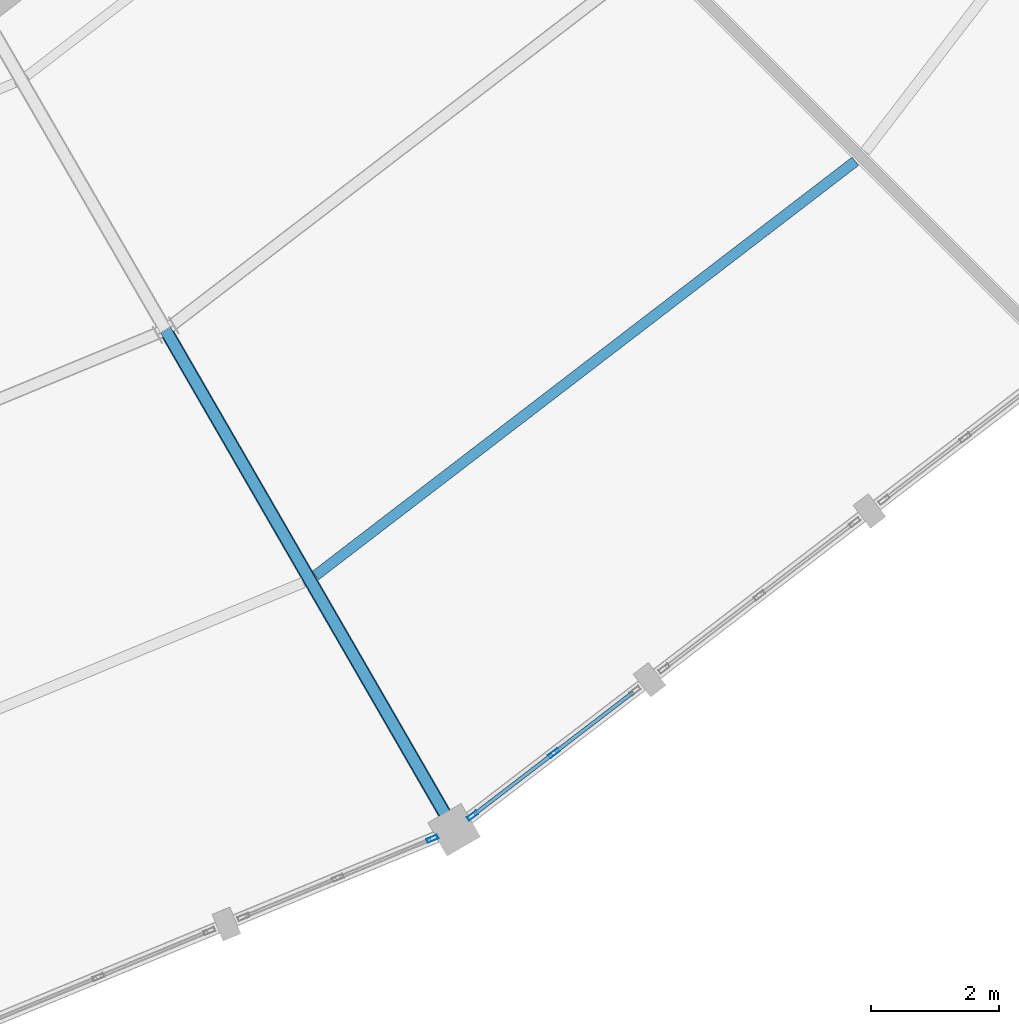
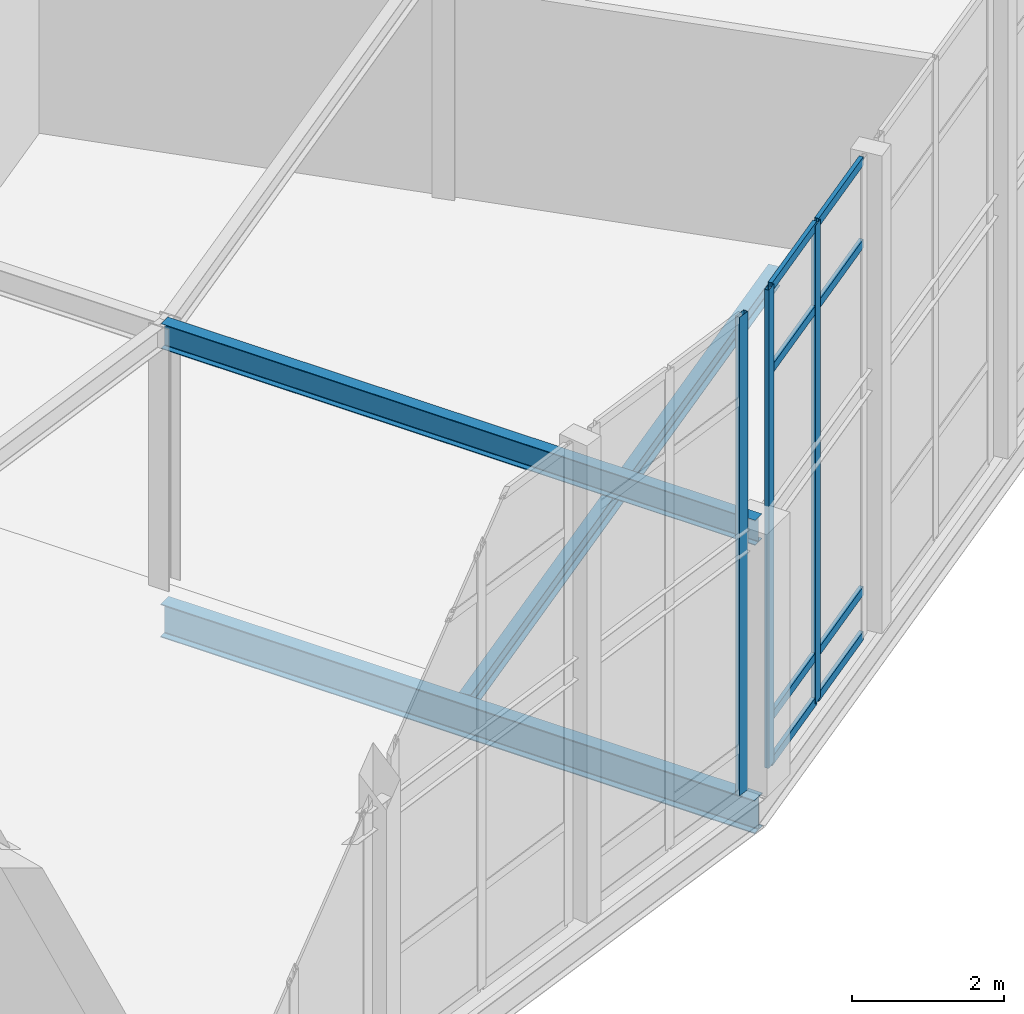
# One storey, part 43 of 170: 11 members, 3 beams, 2 elements without a shape of their own.
"""IFC4 building model written with IfcOpenShell, lengths in metres."""

from ifc_helpers import new_model, si_unit, direction, frame, origin, origin_2d, place, context, subcontext, project, spatial, hollow_rectangle, i_section, extrude, material, material_profile, profile_set, type_object, element, aggregate, save


model = new_model("IFC4")

# Units and contexts
model_context = context("Model", 3, precision=1e-05, world=origin(), true_north=direction((0.0, 1.0)))
body_context = subcontext(model_context, "Body", "Model", "MODEL_VIEW")
ifc_project = project(units=[si_unit("LENGTHUNIT", "METRE"), si_unit("AREAUNIT", "SQUARE_METRE"), si_unit("VOLUMEUNIT", "CUBIC_METRE"), si_unit("PLANEANGLEUNIT", "RADIAN"), si_unit("MASSUNIT", "GRAM", prefix="KILO")], contexts=[model_context])

# Site, building, storey
site_placement = place(None, origin())
site = spatial("IfcSite", under=ifc_project, at=site_placement, CompositionType="ELEMENT")
building_placement = place(site_placement, origin())
building = spatial("IfcBuilding", under=site, at=building_placement, Name="Vondelvale Polytechnic", CompositionType="ELEMENT")
storey_placement = place(building_placement, frame((0.0, 0.0, 5.39990234375)))
storey = spatial("IfcBuildingStorey", under=building, at=storey_placement, Name="L01", CompositionType="ELEMENT", Elevation=5.39990234375)

# Beams
ifc_material_1 = material(Name="Steel 300PLUS (fy = 300 MPa)", Category="steel")
ifc_material_profile_1 = material_profile(ifc_material_1, i_section(OverallWidth=0.177978515625, OverallDepth=0.403076171875, WebThickness=0.007568359375, FlangeThickness=0.010986328125, FilletRadius=0.011474609375, at=origin_2d()), Name="410UB53.7")
ifc_profile_set_1 = profile_set([ifc_material_profile_1], Name="Steel 300PLUS (fy = 300 MPa)")
beam_type_1 = type_object("IfcBeamType", Name="BM-UB410L", PredefinedType="BEAM", material=ifc_profile_set_1)
beam_1_placement = place(storey_placement, frame((120.5, 39.95703125, 3.99853515625), z_axis=(0.5000018851, -0.866024315419, 0.0), x_axis=(0.866024315419, 0.5000018851, 0.0)))
element("IfcBeam", 1, at=beam_1_placement, inside=storey, type_object=beam_type_1, Name="L01 REG B-23", PredefinedType="BEAM", context=body_context, shape_type="SweptSolid", body=[
    extrude(i_section(OverallWidth=0.177978515625, OverallDepth=0.403076171875, WebThickness=0.007568359375, FlangeThickness=0.010986328125, FilletRadius=0.011474609375, at=origin_2d()), origin(), (0.0, 0.0, 1.0), 9.0),
])
ifc_material_profile_2 = material_profile(ifc_material_1, i_section(OverallWidth=0.208984375, OverallDepth=0.532958984375, WebThickness=0.01025390625, FlangeThickness=0.015625, FilletRadius=0.013916015625, at=origin_2d()), Name="530UB92.4")
ifc_profile_set_2 = profile_set([ifc_material_profile_2], Name="Steel 300PLUS (fy = 300 MPa)")
beam_type_2 = type_object("IfcBeamType", Name="BM-UB530", PredefinedType="BEAM", material=ifc_profile_set_2)
beam_2_placement = place(storey_placement, frame((120.5, 39.95703125, -0.54638671875), z_axis=(0.5000018851, -0.866024315419, 0.0), x_axis=(0.866024315419, 0.5000018851, 0.0)))
element("IfcBeam", 2, at=beam_2_placement, inside=storey, type_object=beam_type_2, Name="L01 RG B-11", PredefinedType="BEAM", context=body_context, shape_type="SweptSolid", body=[
    extrude(i_section(OverallWidth=0.208984375, OverallDepth=0.532958984375, WebThickness=0.01025390625, FlangeThickness=0.015625, FilletRadius=0.013916015625, at=origin_2d()), origin(), (0.0, 0.0, 1.0), 9.0),
])

# Curtain wall, member
ifc_material_2 = material(Name="Glulam GL18 structural Tasmanian oak (fb = 42 MPa)", Category="wood")
curtain_wall_type = type_object("IfcCurtainWallType", Name="CW-RING-OUTER", PredefinedType="NOTDEFINED", material=ifc_material_2)
curtain_wall_1_placement = place(storey_placement, origin())
curtain_wall_1 = element("IfcCurtainWall", 3, at=curtain_wall_1_placement, inside=storey, type_object=curtain_wall_type, Name="L01 architectural curtain wall CW-04-340", PredefinedType="NOTDEFINED")
ifc_material_3 = material(Name="Anodised extruded aluminium 6063-T6", Category="aluminium")
ifc_material_profile_3 = material_profile(ifc_material_3, hollow_rectangle(XDim=0.06494140625, YDim=0.179931640625, WallThickness=0.00390625, at=origin_2d()), Name="CW-MUL-180x65")
ifc_profile_set_3 = profile_set([ifc_material_profile_3], Name="Anodised extruded aluminium 6063-T6")
member_type_1 = type_object("IfcMemberType", Name="CW-MUL-65x180", PredefinedType="MULLION", material=ifc_profile_set_3)
member_1_placement = place(storey_placement, frame((124.66259765625, 32.02294921875, 0.0), z_axis=(0.0, 0.0, 1.0), x_axis=(-0.382677394529, 0.923882033442, 0.0)))
member_1 = element("IfcMember", 4, at=member_1_placement, type_object=member_type_1, Name="CW-04-340 mullion 3", PredefinedType="MULLION", context=body_context, shape_type="SweptSolid", body=[
    extrude(hollow_rectangle(XDim=0.06494140625, YDim=0.179931640625, WallThickness=0.00390625, at=origin_2d()), origin(), (0.0, 0.0, 1.0), 7.661376953125),
])
aggregate(curtain_wall_1, [member_1])

# Curtain wall, members
curtain_wall_2_placement = place(storey_placement, origin())
curtain_wall_2 = element("IfcCurtainWall", 5, at=curtain_wall_2_placement, inside=storey, type_object=curtain_wall_type, Name="L01 architectural curtain wall CW-04-345", PredefinedType="NOTDEFINED")
member_2_placement = place(storey_placement, frame((125.289794921875, 32.385009765625, 0.0), z_axis=(0.0, 0.0, 1.0), x_axis=(-0.608786860133, 0.793333825656, 0.0)))
member_2 = element("IfcMember", 6, at=member_2_placement, type_object=member_type_1, Name="CW-04-345 mullion 1", PredefinedType="MULLION", context=body_context, shape_type="SweptSolid", body=[
    extrude(hollow_rectangle(XDim=0.06494140625, YDim=0.179931640625, WallThickness=0.00390625, at=origin_2d()), origin(), (0.0, 0.0, 1.0), 7.661376953125),
])
member_3_placement = place(storey_placement, frame((126.55517578125, 33.356201171875, 0.0), z_axis=(0.0, 0.0, 1.0), x_axis=(-0.608786860133, 0.793333825656, 0.0)))
member_3 = element("IfcMember", 7, at=member_3_placement, type_object=member_type_1, Name="CW-04-345 mullion 2", PredefinedType="MULLION", context=body_context, shape_type="SweptSolid", body=[
    extrude(hollow_rectangle(XDim=0.06494140625, YDim=0.179931640625, WallThickness=0.00390625, at=origin_2d()), origin(), (0.0, 0.0, 1.0), 7.661376953125),
])
ifc_material_profile_4 = material_profile(ifc_material_3, hollow_rectangle(XDim=0.06005859375, YDim=0.139892578125, WallThickness=0.00341796875, at=origin_2d()), Name="CW-TRN-140x60")
ifc_profile_set_4 = profile_set([ifc_material_profile_4], Name="Anodised extruded aluminium 6063-T6")
member_type_2 = type_object("IfcMemberType", Name="CW-TRN-60x140", PredefinedType="USERDEFINED", material=ifc_profile_set_4)
member_4_placement = place(storey_placement, frame((125.315673828125, 32.40478515625, 0.030029296875), z_axis=(0.7932286645, 0.608923875222, 0.0), x_axis=(-0.608923875222, 0.7932286645, 0.0)))
member_4 = element("IfcMember", 8, at=member_4_placement, type_object=member_type_2, Name="CW-04-345 transom 1.1", ObjectType="TRANSOM", PredefinedType="USERDEFINED", context=body_context, shape_type="SweptSolid", body=[
    extrude(hollow_rectangle(XDim=0.06005859375, YDim=0.139892578125, WallThickness=0.00341796875, at=origin_2d()), origin(), (0.0, 0.0, 1.0), 1.530029296875),
])
member_5_placement = place(storey_placement, frame((125.315673828125, 32.40478515625, 0.75), z_axis=(0.7932286645, 0.608923875222, 0.0), x_axis=(-0.608923875222, 0.7932286645, 0.0)))
member_5 = element("IfcMember", 9, at=member_5_placement, type_object=member_type_2, Name="CW-04-345 transom 1.2", ObjectType="TRANSOM", PredefinedType="USERDEFINED", context=body_context, shape_type="SweptSolid", body=[
    extrude(hollow_rectangle(XDim=0.06005859375, YDim=0.139892578125, WallThickness=0.00341796875, at=origin_2d()), origin(), (0.0, 0.0, 1.0), 1.530029296875),
])
member_6_placement = place(storey_placement, frame((125.315673828125, 32.40478515625, 6.3115234375), z_axis=(0.7932286645, 0.608923875222, 0.0), x_axis=(-0.608923875222, 0.7932286645, 0.0)))
member_6 = element("IfcMember", 10, at=member_6_placement, type_object=member_type_2, Name="CW-04-345 transom 1.3", ObjectType="TRANSOM", PredefinedType="USERDEFINED", context=body_context, shape_type="SweptSolid", body=[
    extrude(hollow_rectangle(XDim=0.06005859375, YDim=0.139892578125, WallThickness=0.00341796875, at=origin_2d()), origin(), (0.0, 0.0, 1.0), 1.530029296875),
])
member_7_placement = place(storey_placement, frame((125.315673828125, 32.40478515625, 7.631591796875), z_axis=(0.7932286645, 0.608923875222, 0.0), x_axis=(-0.608923875222, 0.7932286645, 0.0)))
member_7 = element("IfcMember", 11, at=member_7_placement, type_object=member_type_2, Name="CW-04-345 transom 1.4", ObjectType="TRANSOM", PredefinedType="USERDEFINED", context=body_context, shape_type="SweptSolid", body=[
    extrude(hollow_rectangle(XDim=0.06005859375, YDim=0.139892578125, WallThickness=0.00341796875, at=origin_2d()), origin(), (0.0, 0.0, 1.0), 1.530029296875),
])
member_8_placement = place(storey_placement, frame((126.5810546875, 33.3759765625, 0.030029296875), z_axis=(0.793305741078, 0.60882345649, 0.0), x_axis=(-0.60882345649, 0.793305741078, 0.0)))
member_8 = element("IfcMember", 12, at=member_8_placement, type_object=member_type_2, Name="CW-04-345 transom 2.1", ObjectType="TRANSOM", PredefinedType="USERDEFINED", context=body_context, shape_type="SweptSolid", body=[
    extrude(hollow_rectangle(XDim=0.06005859375, YDim=0.139892578125, WallThickness=0.00341796875, at=origin_2d()), origin(), (0.0, 0.0, 1.0), 1.52978515625),
])
member_9_placement = place(storey_placement, frame((126.5810546875, 33.3759765625, 0.75), z_axis=(0.793305741078, 0.60882345649, 0.0), x_axis=(-0.60882345649, 0.793305741078, 0.0)))
member_9 = element("IfcMember", 13, at=member_9_placement, type_object=member_type_2, Name="CW-04-345 transom 2.2", ObjectType="TRANSOM", PredefinedType="USERDEFINED", context=body_context, shape_type="SweptSolid", body=[
    extrude(hollow_rectangle(XDim=0.06005859375, YDim=0.139892578125, WallThickness=0.00341796875, at=origin_2d()), origin(), (0.0, 0.0, 1.0), 1.52978515625),
])
member_10_placement = place(storey_placement, frame((126.5810546875, 33.3759765625, 6.3115234375), z_axis=(0.793305741078, 0.60882345649, 0.0), x_axis=(-0.60882345649, 0.793305741078, 0.0)))
member_10 = element("IfcMember", 14, at=member_10_placement, type_object=member_type_2, Name="CW-04-345 transom 2.3", ObjectType="TRANSOM", PredefinedType="USERDEFINED", context=body_context, shape_type="SweptSolid", body=[
    extrude(hollow_rectangle(XDim=0.06005859375, YDim=0.139892578125, WallThickness=0.00341796875, at=origin_2d()), origin(), (0.0, 0.0, 1.0), 1.52978515625),
])
member_11_placement = place(storey_placement, frame((126.5810546875, 33.3759765625, 7.631591796875), z_axis=(0.793305741078, 0.60882345649, 0.0), x_axis=(-0.60882345649, 0.793305741078, 0.0)))
member_11 = element("IfcMember", 15, at=member_11_placement, type_object=member_type_2, Name="CW-04-345 transom 2.4", ObjectType="TRANSOM", PredefinedType="USERDEFINED", context=body_context, shape_type="SweptSolid", body=[
    extrude(hollow_rectangle(XDim=0.06005859375, YDim=0.139892578125, WallThickness=0.00341796875, at=origin_2d()), origin(), (0.0, 0.0, 1.0), 1.52978515625),
])
aggregate(curtain_wall_2, [member_2, member_3, member_4, member_5, member_6, member_7, member_8, member_9, member_10, member_11])

# Beam
ifc_material_profile_5 = material_profile(ifc_material_1, i_section(OverallWidth=0.1650390625, OverallDepth=0.303955078125, WebThickness=0.006103515625, FlangeThickness=0.01025390625, FilletRadius=0.011474609375, at=origin_2d()), Name="310UB40.4")
ifc_profile_set_5 = profile_set([ifc_material_profile_5], Name="Steel 300PLUS (fy = 300 MPa)")
beam_type_3 = type_object("IfcBeamType", Name="JST-UB310", PredefinedType="JOIST", material=ifc_profile_set_5)
beam_3_placement = place(storey_placement, frame((122.83740234375, 36.126953125, -0.431884765625), z_axis=(0.793346013368, 0.608770977523, 0.0), x_axis=(-0.608770977523, 0.793346013368, 0.0)))
element("IfcBeam", 16, at=beam_3_placement, inside=storey, type_object=beam_type_3, Name="L01 RJ J-05", PredefinedType="JOIST", context=body_context, shape_type="SweptSolid", body=[
    extrude(i_section(OverallWidth=0.1650390625, OverallDepth=0.303955078125, WebThickness=0.006103515625, FlangeThickness=0.01025390625, FilletRadius=0.011474609375, at=origin_2d()), origin(), (0.0, 0.0, 1.0), 10.613525390625),
])

save(model, "model.ifc")
